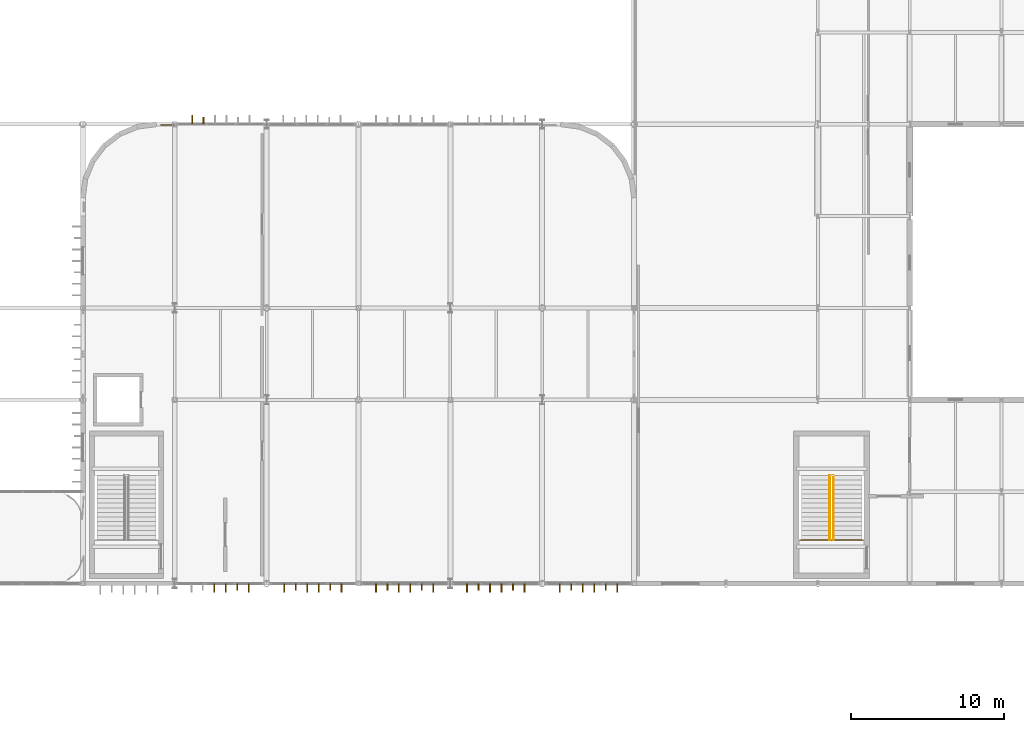
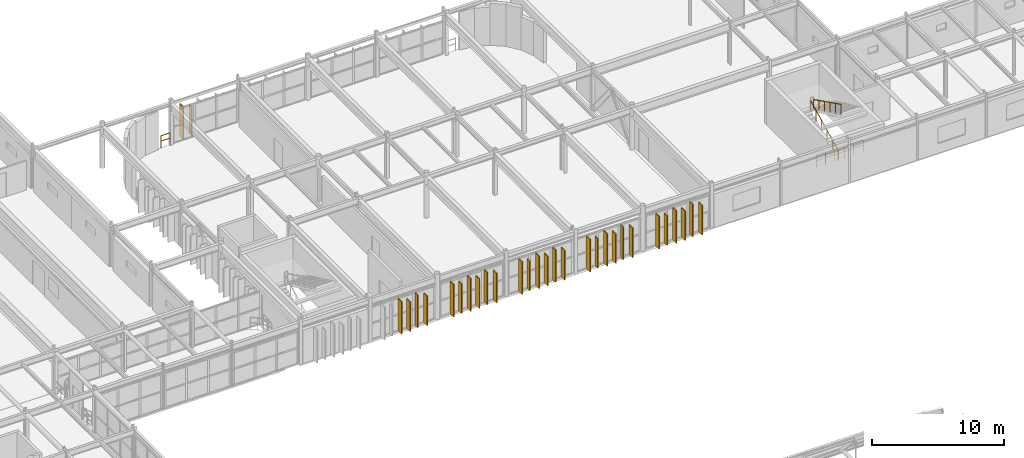
# One storey, part 110 of 116: 30 coverings, 4 railings.
"""IFC4 building model written with IfcOpenShell, lengths in metres."""

from ifc_helpers import new_model, si_unit, direction, frame, origin, origin_2d, place, context, subcontext, project, spatial, rectangle, circle, extrude, material, layer, layer_set, type_object, element, save


model = new_model("IFC4")

# Units and contexts
model_context = context("Model", 3, precision=1e-05, world=origin(), true_north=direction((0.0, 1.0)))
body_context = subcontext(model_context, "Body", "Model", "MODEL_VIEW")
ifc_project = project(units=[si_unit("LENGTHUNIT", "METRE"), si_unit("AREAUNIT", "SQUARE_METRE"), si_unit("VOLUMEUNIT", "CUBIC_METRE"), si_unit("PLANEANGLEUNIT", "RADIAN"), si_unit("MASSUNIT", "GRAM", prefix="KILO")], contexts=[model_context])

# Site, building, storey
site_placement = place(None, origin())
site = spatial("IfcSite", under=ifc_project, at=site_placement, CompositionType="ELEMENT")
building_placement = place(site_placement, origin())
building = spatial("IfcBuilding", under=site, at=building_placement, Name="Varnakota Square Police Headquarters", CompositionType="ELEMENT")
storey_placement = place(building_placement, frame((0.0, 0.0, 9.300048828125)))
storey = spatial("IfcBuildingStorey", under=building, at=storey_placement, Name="L02", CompositionType="ELEMENT", Elevation=9.300048828125)

# Coverings
ifc_material_1 = material(Name="White Anodised Aluminium Vertical Facade Blade 420", Category="aluminium")
ifc_layer_1 = layer(ifc_material_1, 0.0849609375, Name="White Anodised Aluminium Vertical Facade Blade 420")
ifc_layer_set_1 = layer_set([ifc_layer_1], Name="White Anodised Aluminium Vertical Facade Blade 420")
covering_type_1 = type_object("IfcCoveringType", Name="COV-FIN-420", PredefinedType="CLADDING", material=ifc_layer_set_1)
covering_1_placement = place(storey_placement, frame((70.0859375, 68.762451171875, 0.0400390625), z_axis=(0.0, 0.0, 1.0), x_axis=(1.0, 0.0, 0.0)))
element("IfcCovering", 1, at=covering_1_placement, inside=storey, type_object=covering_type_1, Name="Vertical aluminium facade fin FIN-1212", PredefinedType="CLADDING", context=body_context, shape_type="SweptSolid", body=[
    extrude(rectangle(XDim=0.0849609375, YDim=0.419921875, at=origin_2d()), origin(), (0.0, 0.0, 1.0), 3.010009765625),
])
covering_2_placement = place(storey_placement, frame((73.901611328125, 68.762451171875, 0.0400390625), z_axis=(0.0, 0.0, 1.0), x_axis=(1.0, 0.0, 0.0)))
element("IfcCovering", 2, at=covering_2_placement, inside=storey, type_object=covering_type_1, Name="Vertical aluminium facade fin FIN-1215", PredefinedType="CLADDING", context=body_context, shape_type="SweptSolid", body=[
    extrude(rectangle(XDim=0.0849609375, YDim=0.419921875, at=origin_2d()), origin(), (0.0, 0.0, 1.0), 2.72998046875),
])
covering_3_placement = place(storey_placement, frame((76.151611328125, 68.762451171875, 0.0400390625), z_axis=(0.0, 0.0, 1.0), x_axis=(1.0, 0.0, 0.0)))
element("IfcCovering", 3, at=covering_3_placement, inside=storey, type_object=covering_type_1, Name="Vertical aluminium facade fin FIN-1218", PredefinedType="CLADDING", context=body_context, shape_type="SweptSolid", body=[
    extrude(rectangle(XDim=0.0849609375, YDim=0.419921875, at=origin_2d()), origin(), (0.0, 0.0, 1.0), 3.010009765625),
])
covering_4_placement = place(storey_placement, frame((79.887451171875, 68.762451171875, 0.0400390625), z_axis=(0.0, 0.0, 1.0), x_axis=(1.0, 0.0, 0.0)))
element("IfcCovering", 4, at=covering_4_placement, inside=storey, type_object=covering_type_1, Name="Vertical aluminium facade fin FIN-1221", PredefinedType="CLADDING", context=body_context, shape_type="SweptSolid", body=[
    extrude(rectangle(XDim=0.0849609375, YDim=0.419921875, at=origin_2d()), origin(), (0.0, 0.0, 1.0), 2.72998046875),
])
covering_5_placement = place(storey_placement, frame((82.137451171875, 68.762451171875, 0.0400390625), z_axis=(0.0, 0.0, 1.0), x_axis=(1.0, 0.0, 0.0)))
element("IfcCovering", 5, at=covering_5_placement, inside=storey, type_object=covering_type_1, Name="Vertical aluminium facade fin FIN-1224", PredefinedType="CLADDING", context=body_context, shape_type="SweptSolid", body=[
    extrude(rectangle(XDim=0.0849609375, YDim=0.419921875, at=origin_2d()), origin(), (0.0, 0.0, 1.0), 3.010009765625),
])
covering_6_placement = place(storey_placement, frame((85.8359375, 68.762451171875, 0.0400390625), z_axis=(0.0, 0.0, 1.0), x_axis=(1.0, 0.0, 0.0)))
element("IfcCovering", 6, at=covering_6_placement, inside=storey, type_object=covering_type_1, Name="Vertical aluminium facade fin FIN-1227", PredefinedType="CLADDING", context=body_context, shape_type="SweptSolid", body=[
    extrude(rectangle(XDim=0.0849609375, YDim=0.419921875, at=origin_2d()), origin(), (0.0, 0.0, 1.0), 2.72998046875),
])
covering_7_placement = place(storey_placement, frame((88.0859375, 68.762451171875, 0.0400390625), z_axis=(0.0, 0.0, 1.0), x_axis=(1.0, 0.0, 0.0)))
element("IfcCovering", 7, at=covering_7_placement, inside=storey, type_object=covering_type_1, Name="Vertical aluminium facade fin FIN-1230", PredefinedType="CLADDING", context=body_context, shape_type="SweptSolid", body=[
    extrude(rectangle(XDim=0.0849609375, YDim=0.419921875, at=origin_2d()), origin(), (0.0, 0.0, 1.0), 3.010009765625),
])
covering_8_placement = place(storey_placement, frame((91.901611328125, 68.762451171875, 0.0400390625), z_axis=(0.0, 0.0, 1.0), x_axis=(1.0, 0.0, 0.0)))
element("IfcCovering", 8, at=covering_8_placement, inside=storey, type_object=covering_type_1, Name="Vertical aluminium facade fin FIN-1233", PredefinedType="CLADDING", context=body_context, shape_type="SweptSolid", body=[
    extrude(rectangle(XDim=0.0849609375, YDim=0.419921875, at=origin_2d()), origin(), (0.0, 0.0, 1.0), 2.72998046875),
])
covering_9_placement = place(storey_placement, frame((94.151611328125, 68.762451171875, 0.0400390625), z_axis=(0.0, 0.0, 1.0), x_axis=(1.0, 0.0, 0.0)))
element("IfcCovering", 9, at=covering_9_placement, inside=storey, type_object=covering_type_1, Name="Vertical aluminium facade fin FIN-1236", PredefinedType="CLADDING", context=body_context, shape_type="SweptSolid", body=[
    extrude(rectangle(XDim=0.0849609375, YDim=0.419921875, at=origin_2d()), origin(), (0.0, 0.0, 1.0), 3.010009765625),
])
covering_10_placement = place(storey_placement, frame((67.887451171875, 99.237548828125, 0.0400390625), z_axis=(0.0, 0.0, 1.0), x_axis=(1.0, 0.0, 0.0)))
element("IfcCovering", 10, at=covering_10_placement, inside=storey, type_object=covering_type_1, Name="Vertical aluminium facade fin FIN-1239", PredefinedType="CLADDING", context=body_context, shape_type="SweptSolid", body=[
    extrude(rectangle(XDim=0.0849609375, YDim=0.419921875, at=origin_2d()), origin(), (0.0, 0.0, 1.0), 2.72998046875),
])
ifc_material_2 = material(Name="White Anodised Aluminium Vertical Facade Blade 550", Category="aluminium")
ifc_layer_2 = layer(ifc_material_2, 0.0849609375, Name="White Anodised Aluminium Vertical Facade Blade 550")
ifc_layer_set_2 = layer_set([ifc_layer_2], Name="White Anodised Aluminium Vertical Facade Blade 550")
covering_type_2 = type_object("IfcCoveringType", Name="COV-FIN-550", PredefinedType="CLADDING", material=ifc_layer_set_2)
covering_11_placement = place(storey_placement, frame((68.5859375, 68.697509765625, 0.0400390625), z_axis=(0.0, 0.0, 1.0), x_axis=(1.0, 0.0, 0.0)))
element("IfcCovering", 11, at=covering_11_placement, inside=storey, type_object=covering_type_2, Name="Vertical aluminium facade fin FIN-1210", PredefinedType="CLADDING", context=body_context, shape_type="SweptSolid", body=[
    extrude(rectangle(XDim=0.0849609375, YDim=0.550048828125, at=origin_2d()), origin(), (0.0, 0.0, 1.0), 3.010009765625),
])
for number, where, z_axis, x_axis, name in (
    (12, (69.3359375, 68.697509765625, 0.0400390625), (0.0, 0.0, 1.0), (1.0, 0.0, 0.0), "Vertical aluminium facade fin FIN-1211"),
    (13, (70.8359375, 68.697509765625, 0.0400390625), (0.0, 0.0, 1.0), (1.0, 0.0, 0.0), "Vertical aluminium facade fin FIN-1213"),
):
    element("IfcCovering", number, at=place(storey_placement, frame(where, z_axis=z_axis, x_axis=x_axis)), inside=storey, type_object=covering_type_2, Name=name, PredefinedType="CLADDING", context=body_context, shape_type="SweptSolid", body=[
        extrude(rectangle(XDim=0.0849609375, YDim=0.550048828125, at=origin_2d()), origin(), (0.0, 0.0, 1.0), 2.72998046875),
    ])
for number, where, z_axis, x_axis, name in (
    (14, (73.151611328125, 68.697509765625, 0.0400390625), (0.0, 0.0, 1.0), (1.0, 0.0, 0.0), "Vertical aluminium facade fin FIN-1214"),
    (15, (74.651611328125, 68.697509765625, 0.0400390625), (0.0, 0.0, 1.0), (1.0, 0.0, 0.0), "Vertical aluminium facade fin FIN-1216"),
):
    element("IfcCovering", number, at=place(storey_placement, frame(where, z_axis=z_axis, x_axis=x_axis)), inside=storey, type_object=covering_type_2, Name=name, PredefinedType="CLADDING", context=body_context, shape_type="SweptSolid", body=[
        extrude(rectangle(XDim=0.0849609375, YDim=0.550048828125, at=origin_2d()), origin(), (0.0, 0.0, 1.0), 3.010009765625),
    ])
for number, where, z_axis, x_axis, name in (
    (16, (75.401611328125, 68.697509765625, 0.0400390625), (0.0, 0.0, 1.0), (1.0, 0.0, 0.0), "Vertical aluminium facade fin FIN-1217"),
    (17, (76.901611328125, 68.697509765625, 0.0400390625), (0.0, 0.0, 1.0), (1.0, 0.0, 0.0), "Vertical aluminium facade fin FIN-1219"),
):
    element("IfcCovering", number, at=place(storey_placement, frame(where, z_axis=z_axis, x_axis=x_axis)), inside=storey, type_object=covering_type_2, Name=name, PredefinedType="CLADDING", context=body_context, shape_type="SweptSolid", body=[
        extrude(rectangle(XDim=0.0849609375, YDim=0.550048828125, at=origin_2d()), origin(), (0.0, 0.0, 1.0), 2.72998046875),
    ])
for number, where, z_axis, x_axis, name in (
    (18, (79.137451171875, 68.697509765625, 0.0400390625), (0.0, 0.0, 1.0), (1.0, 0.0, 0.0), "Vertical aluminium facade fin FIN-1220"),
    (19, (80.637451171875, 68.697509765625, 0.0400390625), (0.0, 0.0, 1.0), (1.0, 0.0, 0.0), "Vertical aluminium facade fin FIN-1222"),
):
    element("IfcCovering", number, at=place(storey_placement, frame(where, z_axis=z_axis, x_axis=x_axis)), inside=storey, type_object=covering_type_2, Name=name, PredefinedType="CLADDING", context=body_context, shape_type="SweptSolid", body=[
        extrude(rectangle(XDim=0.0849609375, YDim=0.550048828125, at=origin_2d()), origin(), (0.0, 0.0, 1.0), 3.010009765625),
    ])
for number, where, z_axis, x_axis, name in (
    (20, (81.387451171875, 68.697509765625, 0.0400390625), (0.0, 0.0, 1.0), (1.0, 0.0, 0.0), "Vertical aluminium facade fin FIN-1223"),
    (21, (82.887451171875, 68.697509765625, 0.0400390625), (0.0, 0.0, 1.0), (1.0, 0.0, 0.0), "Vertical aluminium facade fin FIN-1225"),
):
    element("IfcCovering", number, at=place(storey_placement, frame(where, z_axis=z_axis, x_axis=x_axis)), inside=storey, type_object=covering_type_2, Name=name, PredefinedType="CLADDING", context=body_context, shape_type="SweptSolid", body=[
        extrude(rectangle(XDim=0.0849609375, YDim=0.550048828125, at=origin_2d()), origin(), (0.0, 0.0, 1.0), 2.72998046875),
    ])
for number, where, z_axis, x_axis, name in (
    (22, (85.0859375, 68.697509765625, 0.0400390625), (0.0, 0.0, 1.0), (1.0, 0.0, 0.0), "Vertical aluminium facade fin FIN-1226"),
    (23, (86.5859375, 68.697509765625, 0.0400390625), (0.0, 0.0, 1.0), (1.0, 0.0, 0.0), "Vertical aluminium facade fin FIN-1228"),
):
    element("IfcCovering", number, at=place(storey_placement, frame(where, z_axis=z_axis, x_axis=x_axis)), inside=storey, type_object=covering_type_2, Name=name, PredefinedType="CLADDING", context=body_context, shape_type="SweptSolid", body=[
        extrude(rectangle(XDim=0.0849609375, YDim=0.550048828125, at=origin_2d()), origin(), (0.0, 0.0, 1.0), 3.010009765625),
    ])
for number, where, z_axis, x_axis, name in (
    (24, (87.3359375, 68.697509765625, 0.0400390625), (0.0, 0.0, 1.0), (1.0, 0.0, 0.0), "Vertical aluminium facade fin FIN-1229"),
    (25, (88.8359375, 68.697509765625, 0.0400390625), (0.0, 0.0, 1.0), (1.0, 0.0, 0.0), "Vertical aluminium facade fin FIN-1231"),
):
    element("IfcCovering", number, at=place(storey_placement, frame(where, z_axis=z_axis, x_axis=x_axis)), inside=storey, type_object=covering_type_2, Name=name, PredefinedType="CLADDING", context=body_context, shape_type="SweptSolid", body=[
        extrude(rectangle(XDim=0.0849609375, YDim=0.550048828125, at=origin_2d()), origin(), (0.0, 0.0, 1.0), 2.72998046875),
    ])
for number, where, z_axis, x_axis, name in (
    (26, (91.151611328125, 68.697509765625, 0.0400390625), (0.0, 0.0, 1.0), (1.0, 0.0, 0.0), "Vertical aluminium facade fin FIN-1232"),
    (27, (92.651611328125, 68.697509765625, 0.0400390625), (0.0, 0.0, 1.0), (1.0, 0.0, 0.0), "Vertical aluminium facade fin FIN-1234"),
):
    element("IfcCovering", number, at=place(storey_placement, frame(where, z_axis=z_axis, x_axis=x_axis)), inside=storey, type_object=covering_type_2, Name=name, PredefinedType="CLADDING", context=body_context, shape_type="SweptSolid", body=[
        extrude(rectangle(XDim=0.0849609375, YDim=0.550048828125, at=origin_2d()), origin(), (0.0, 0.0, 1.0), 3.010009765625),
    ])
for number, where, z_axis, x_axis, name in (
    (28, (93.401611328125, 68.697509765625, 0.0400390625), (0.0, 0.0, 1.0), (1.0, 0.0, 0.0), "Vertical aluminium facade fin FIN-1235"),
    (29, (94.901611328125, 68.697509765625, 0.0400390625), (0.0, 0.0, 1.0), (1.0, 0.0, 0.0), "Vertical aluminium facade fin FIN-1237"),
):
    element("IfcCovering", number, at=place(storey_placement, frame(where, z_axis=z_axis, x_axis=x_axis)), inside=storey, type_object=covering_type_2, Name=name, PredefinedType="CLADDING", context=body_context, shape_type="SweptSolid", body=[
        extrude(rectangle(XDim=0.0849609375, YDim=0.550048828125, at=origin_2d()), origin(), (0.0, 0.0, 1.0), 2.72998046875),
    ])
covering_12_placement = place(storey_placement, frame((67.137451171875, 99.302490234375, 0.0400390625), z_axis=(0.0, 0.0, 1.0), x_axis=(1.0, 0.0, 0.0)))
element("IfcCovering", 30, at=covering_12_placement, inside=storey, type_object=covering_type_2, Name="Vertical aluminium facade fin FIN-1238", PredefinedType="CLADDING", context=body_context, shape_type="SweptSolid", body=[
    extrude(rectangle(XDim=0.0849609375, YDim=0.550048828125, at=origin_2d()), origin(), (0.0, 0.0, 1.0), 3.010009765625),
])

# Railings
ifc_material_3 = material(Name="Galvanised Powder-Coated Steel Guardrail", Category="steel")
railing_type_1 = type_object("IfcRailingType", Name="RL-BAL-1150", PredefinedType="BALUSTRADE", material=ifc_material_3)
railing_1_placement = place(storey_placement, frame((65.095703125, 98.949951171875, 0.0)))
element("IfcRailing", 31, at=railing_1_placement, inside=storey, type_object=railing_type_1, Name="Perimeter edge safety guard GD-AUTO-L02-057", PredefinedType="BALUSTRADE", context=body_context, shape_type="SweptSolid", body=[
    extrude(circle(Radius=0.02392578125, at=origin_2d()), frame((0.0, 0.0, 1.1259765625), z_axis=(1.0, 0.0, 0.0), x_axis=(0.0, 1.0, 0.0)), (0.0, 0.0, 1.0), 0.82470703125),
    extrude(circle(Radius=0.01806640625, at=origin_2d()), frame((0.0, 0.0, 0.63232421875), z_axis=(1.0, 0.0, 0.0), x_axis=(0.0, 1.0, 0.0)), (0.0, 0.0, 1.0), 0.82470703125),
    extrude(circle(Radius=0.02099609375, at=origin_2d()), origin(), (0.0, 0.0, 1.0), 1.101806640625),
    extrude(circle(Radius=0.02099609375, at=origin_2d()), frame((0.82470703125, 0.0, 0.0)), (0.0, 0.0, 1.0), 1.101806640625),
])
ifc_material_4 = material(Name="Brushed Stainless Steel Tubular Handrail", Category="steel")
railing_type_2 = type_object("IfcRailingType", Name="RL-HND-920", PredefinedType="HANDRAIL", material=ifc_material_4)
railing_2_placement = place(storey_placement, frame((108.780029296875, 71.85009765625, 0.0)))
element("IfcRailing", 32, at=railing_2_placement, inside=storey, type_object=railing_type_2, Name="Stair flight handrail HR-L02-095", PredefinedType="HANDRAIL", context=body_context, shape_type="SweptSolid", body=[
    extrude(circle(Radius=0.02392578125, at=origin_2d()), frame((0.0, 0.0, 0.89599609375), z_axis=(0.0, 0.894468775824, 0.447130416184), x_axis=(-1.0, 0.0, 0.0)), (0.0, 0.0, 1.0), 4.6962890625),
    extrude(circle(Radius=0.02099609375, at=origin_2d()), origin(), (0.0, 0.0, 1.0), 0.871826171875),
    extrude(circle(Radius=0.02099609375, at=origin_2d()), frame((0.0, 0.840087890625, 0.419921875)), (0.0, 0.0, 1.0), 0.871826171875),
    extrude(circle(Radius=0.02099609375, at=origin_2d()), frame((0.0, 1.68017578125, 0.83984375)), (0.0, 0.0, 1.0), 0.871826171875),
    extrude(circle(Radius=0.02099609375, at=origin_2d()), frame((0.0, 2.5205078125, 1.260009765625)), (0.0, 0.0, 1.0), 0.871826171875),
    extrude(circle(Radius=0.02099609375, at=origin_2d()), frame((0.0, 3.360595703125, 1.679931640625)), (0.0, 0.0, 1.0), 0.871826171875),
    extrude(circle(Radius=0.02099609375, at=origin_2d()), frame((0.0, 4.20068359375, 2.099853515625)), (0.0, 0.0, 1.0), 0.871826171875),
])
railing_3_placement = place(storey_placement, frame((109.02001953125, 76.05078125, 2.099853515625)))
element("IfcRailing", 33, at=railing_3_placement, inside=storey, type_object=railing_type_2, Name="Stair flight handrail HR-L02-096", PredefinedType="HANDRAIL", context=body_context, shape_type="SweptSolid", body=[
    extrude(circle(Radius=0.02392578125, at=origin_2d()), frame((0.0, 0.0, 0.89599609375), z_axis=(0.0, -0.894447983895, 0.447172007292), x_axis=(1.0, 0.0, 0.0)), (0.0, 0.0, 1.0), 4.6962890625),
    extrude(circle(Radius=0.02099609375, at=origin_2d()), origin(), (0.0, 0.0, 1.0), 0.871826171875),
    extrude(circle(Radius=0.02099609375, at=origin_2d()), frame((0.0, -0.840087890625, 0.419921875)), (0.0, 0.0, 1.0), 0.871826171875),
    extrude(circle(Radius=0.02099609375, at=origin_2d()), frame((0.0, -1.68017578125, 0.840087890625)), (0.0, 0.0, 1.0), 0.871826171875),
    extrude(circle(Radius=0.02099609375, at=origin_2d()), frame((0.0, -2.5205078125, 1.260009765625)), (0.0, 0.0, 1.0), 0.871826171875),
    extrude(circle(Radius=0.02099609375, at=origin_2d()), frame((0.0, -3.360595703125, 1.68017578125)), (0.0, 0.0, 1.0), 0.871826171875),
    extrude(circle(Radius=0.02099609375, at=origin_2d()), frame((0.0, -4.20068359375, 2.10009765625)), (0.0, 0.0, 1.0), 0.871826171875),
])
ifc_material_5 = material(Name="Laminated Glass and Stainless Steel Balustrade", Category="steel")
railing_type_3 = type_object("IfcRailingType", Name="RL-INT-1150", PredefinedType="BALUSTRADE", material=ifc_material_5)
railing_4_placement = place(storey_placement, frame((106.840087890625, 71.85009765625, 0.0)))
element("IfcRailing", 34, at=railing_4_placement, inside=storey, type_object=railing_type_3, Name="Stair well safety guard C9 L02", PredefinedType="BALUSTRADE", context=body_context, shape_type="SweptSolid", body=[
    extrude(circle(Radius=0.02392578125, at=origin_2d()), frame((0.0, 0.0, 1.1259765625), z_axis=(1.0, 0.0, 0.0), x_axis=(0.0, 1.0, 0.0)), (0.0, 0.0, 1.0), 4.119873046875),
    extrude(circle(Radius=0.01806640625, at=origin_2d()), frame((0.0, 0.0, 0.63232421875), z_axis=(1.0, 0.0, 0.0), x_axis=(0.0, 1.0, 0.0)), (0.0, 0.0, 1.0), 4.119873046875),
    extrude(circle(Radius=0.02099609375, at=origin_2d()), origin(), (0.0, 0.0, 1.0), 1.101806640625),
    extrude(circle(Radius=0.02099609375, at=origin_2d()), frame((0.823974609375, 0.0, 0.0)), (0.0, 0.0, 1.0), 1.101806640625),
    extrude(circle(Radius=0.02099609375, at=origin_2d()), frame((1.64794921875, 0.0, 0.0)), (0.0, 0.0, 1.0), 1.101806640625),
    extrude(circle(Radius=0.02099609375, at=origin_2d()), frame((2.471923828125, 0.0, 0.0)), (0.0, 0.0, 1.0), 1.101806640625),
    extrude(circle(Radius=0.02099609375, at=origin_2d()), frame((3.2958984375, 0.0, 0.0)), (0.0, 0.0, 1.0), 1.101806640625),
    extrude(circle(Radius=0.02099609375, at=origin_2d()), frame((4.119873046875, 0.0, 0.0)), (0.0, 0.0, 1.0), 1.101806640625),
])

save(model, "model.ifc")
